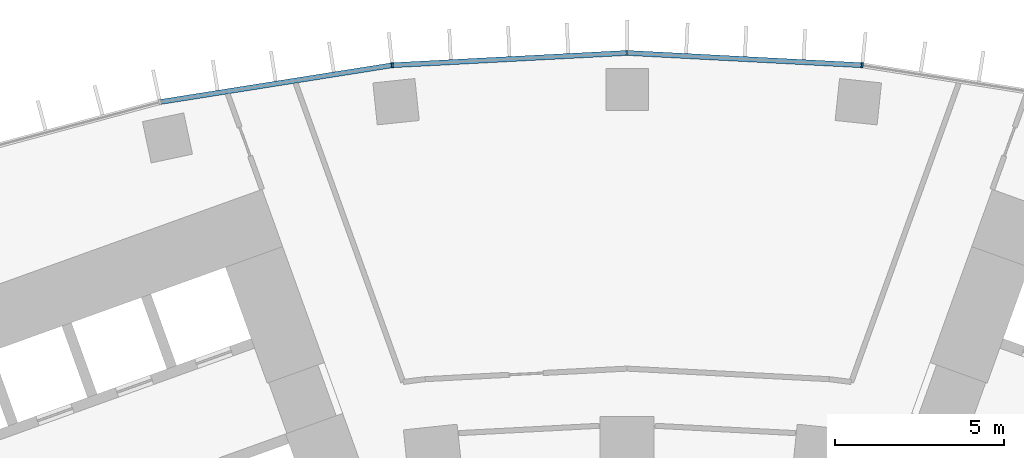
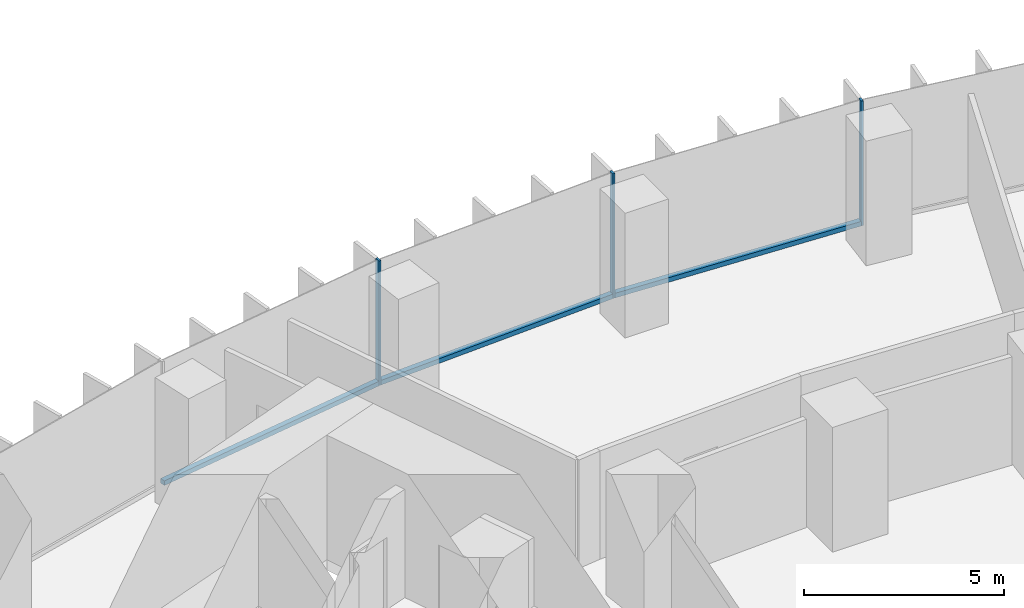
# One storey, part 8 of 24: 6 members, 1 element without a shape of its own.
"""IFC4 building model written with IfcOpenShell, lengths in metres."""

from ifc_helpers import new_model, si_unit, direction, frame, origin, origin_2d, place, context, subcontext, project, spatial, rectangle, extrude, material, layer, layer_set, material_profile, profile_set, type_object, element, aggregate, save


model = new_model("IFC4")

# Units and contexts
model_context = context("Model", 3, precision=1e-05, world=origin(), true_north=direction((0.0, 1.0)))
body_context = subcontext(model_context, "Body", "Model", "MODEL_VIEW")
ifc_project = project(units=[si_unit("LENGTHUNIT", "METRE"), si_unit("AREAUNIT", "SQUARE_METRE"), si_unit("VOLUMEUNIT", "CUBIC_METRE"), si_unit("PLANEANGLEUNIT", "RADIAN"), si_unit("MASSUNIT", "GRAM", prefix="KILO")], contexts=[model_context])

# Site, building, storey
site_placement = place(None, origin())
site = spatial("IfcSite", under=ifc_project, at=site_placement, CompositionType="ELEMENT")
building_placement = place(site_placement, origin())
building = spatial("IfcBuilding", under=site, at=building_placement, Name="Stone Belt Terrace Tower", CompositionType="ELEMENT")
storey_placement = place(building_placement, frame((0.0, 0.0, 75.60009765625)))
storey = spatial("IfcBuildingStorey", under=building, at=storey_placement, Name="L18", CompositionType="ELEMENT", Elevation=75.60009765625)

# Curtain wall, members
ifc_material = material(Name="Aluminium 6063-T6 anodised frame", Category="aluminium")
ifc_layer = layer(ifc_material, 0.14990234375)
ifc_layer_set = layer_set([ifc_layer], Name="CW-A unitised convex-face curtain wall")
curtain_wall_type = type_object("IfcCurtainWallType", Name="CW-A unitised convex-face curtain wall", PredefinedType="NOTDEFINED", material=ifc_layer_set)
curtain_wall_placement = place(storey_placement, origin())
curtain_wall = element("IfcCurtainWall", 1, at=curtain_wall_placement, inside=storey, type_object=curtain_wall_type, Name="CW-A convex face L18", PredefinedType="NOTDEFINED")
ifc_material_profile_1 = material_profile(ifc_material, rectangle(XDim=0.14990234375, YDim=0.06005859375, at=origin_2d()), Name="Aluminium 6063-T6 60x150")
ifc_profile_set_1 = profile_set([ifc_material_profile_1], Name="Aluminium 6063-T6 anodised frame")
member_type_1 = type_object("IfcMemberType", Name="CW-A mullion 60 x 150", PredefinedType="MULLION", material=ifc_profile_set_1)
member_1_placement = place(storey_placement, frame((6.958984375, 66.21044921875, 0.0), z_axis=(0.0, 0.0, 1.0), x_axis=(-0.104528463268, -0.994521895368, 0.0)))
member_1 = element("IfcMember", 2, at=member_1_placement, type_object=member_type_1, Name="CW-A mullion 8", PredefinedType="MULLION", context=body_context, shape_type="SweptSolid", body=[
    extrude(rectangle(XDim=0.14990234375, YDim=0.06005859375, at=origin_2d()), origin(), (0.0, 0.0, 1.0), 3.7998046875),
])
member_2_placement = place(storey_placement, frame((0.0, 66.5751953125, 0.0), z_axis=(0.0, 0.0, 1.0), x_axis=(0.0, -1.0, 0.0)))
member_2 = element("IfcMember", 3, at=member_2_placement, type_object=member_type_1, Name="CW-A mullion 9", PredefinedType="MULLION", context=body_context, shape_type="SweptSolid", body=[
    extrude(rectangle(XDim=0.14990234375, YDim=0.06005859375, at=origin_2d()), origin(), (0.0, 0.0, 1.0), 3.7998046875),
])
member_3_placement = place(storey_placement, frame((-6.958984375, 66.21044921875, 0.0), z_axis=(0.0, 0.0, 1.0), x_axis=(0.104528463268, -0.994521895368, 0.0)))
member_3 = element("IfcMember", 4, at=member_3_placement, type_object=member_type_1, Name="CW-A mullion 10", PredefinedType="MULLION", context=body_context, shape_type="SweptSolid", body=[
    extrude(rectangle(XDim=0.14990234375, YDim=0.06005859375, at=origin_2d()), origin(), (0.0, 0.0, 1.0), 3.7998046875),
])
ifc_material_profile_2 = material_profile(ifc_material, rectangle(XDim=0.14990234375, YDim=0.139892578125, at=origin_2d()), Name="Aluminium 6063-T6 150x140")
ifc_profile_set_2 = profile_set([ifc_material_profile_2], Name="Aluminium 6063-T6 anodised frame")
member_type_2 = type_object("IfcMemberType", Name="CW-A transom 140 x 150", PredefinedType="USERDEFINED", material=ifc_profile_set_2)
member_4_placement = place(storey_placement, frame((6.925048828125, 66.212158203125, 0.06982421875), z_axis=(-0.998630019135, 0.052326712899, 0.0), x_axis=(-0.052326712899, -0.998630019135, 0.0)))
member_4 = element("IfcMember", 5, at=member_4_placement, type_object=member_type_2, Name="CW-A transom 8.1", ObjectType="TRANSOM", PredefinedType="USERDEFINED", context=body_context, shape_type="SweptSolid", body=[
    extrude(rectangle(XDim=0.14990234375, YDim=0.139892578125, at=origin_2d()), origin(), (0.0, 0.0, 1.0), 6.900634765625),
])
member_5_placement = place(storey_placement, frame((-0.033935546875, 66.5732421875, 0.06982421875), z_axis=(-0.998630019135, -0.052326712899, 0.0), x_axis=(0.052326712899, -0.998630019135, 0.0)))
member_5 = element("IfcMember", 6, at=member_5_placement, type_object=member_type_2, Name="CW-A transom 9.1", ObjectType="TRANSOM", PredefinedType="USERDEFINED", context=body_context, shape_type="SweptSolid", body=[
    extrude(rectangle(XDim=0.14990234375, YDim=0.139892578125, at=origin_2d()), origin(), (0.0, 0.0, 1.0), 6.900634765625),
])
member_6_placement = place(storey_placement, frame((-6.992431640625, 66.205078125, 0.06982421875), z_axis=(-0.987687120531, -0.156442168027, 0.0), x_axis=(0.156442168027, -0.987687120531, 0.0)))
member_6 = element("IfcMember", 7, at=member_6_placement, type_object=member_type_2, Name="CW-A transom 10.1", ObjectType="TRANSOM", PredefinedType="USERDEFINED", context=body_context, shape_type="SweptSolid", body=[
    extrude(rectangle(XDim=0.14990234375, YDim=0.139892578125, at=origin_2d()), origin(), (0.0, 0.0, 1.0), 6.90087890625),
])
aggregate(curtain_wall, [member_1, member_2, member_3, member_4, member_5, member_6])

save(model, "model.ifc")
